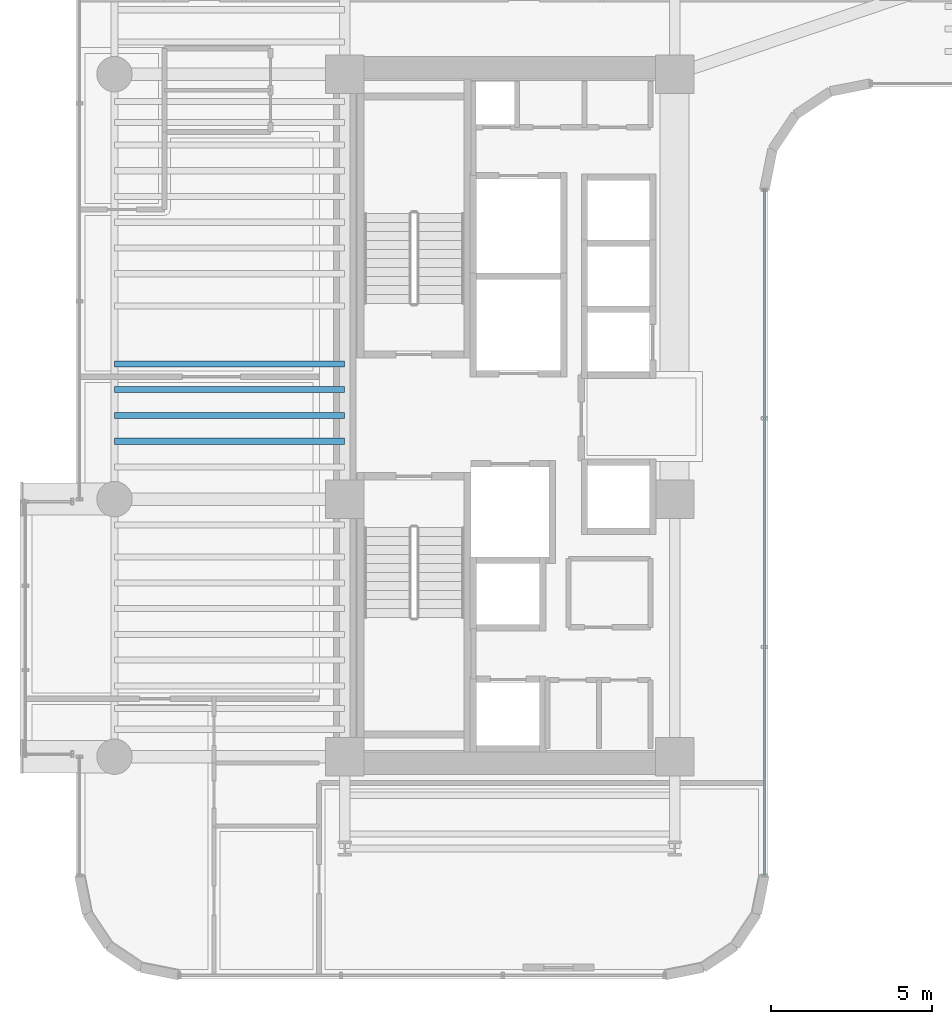
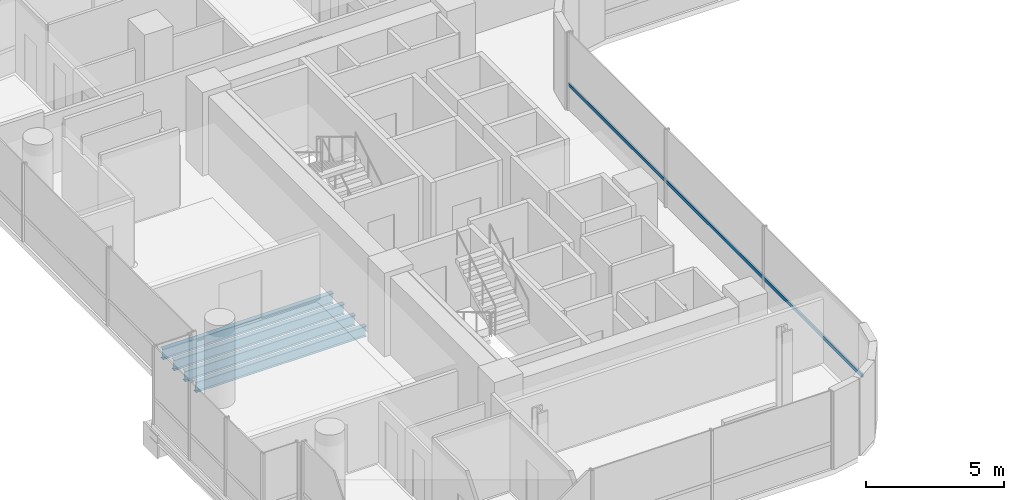
# One storey, part 6 of 38: 4 beams, 1 member, 1 element without a shape of its own.
"""IFC4 building model written with IfcOpenShell, lengths in metres."""

from ifc_helpers import new_model, si_unit, direction, frame, origin, origin_2d, place, context, subcontext, project, spatial, hollow_rectangle, i_section, extrude, source, transform, mapped, material, material_profile, profile_set, type_object, element, aggregate, save


model = new_model("IFC4")

# Units and contexts
model_context = context("Model", 3, precision=1e-05, world=origin(), true_north=direction((0.0, 1.0)))
body_context = subcontext(model_context, "Body", "Model", "MODEL_VIEW")
ifc_project = project(units=[si_unit("LENGTHUNIT", "METRE"), si_unit("AREAUNIT", "SQUARE_METRE"), si_unit("VOLUMEUNIT", "CUBIC_METRE"), si_unit("PLANEANGLEUNIT", "RADIAN"), si_unit("MASSUNIT", "GRAM", prefix="KILO")], contexts=[model_context])

# Site, building, storey
site_placement = place(None, origin())
site = spatial("IfcSite", under=ifc_project, at=site_placement, CompositionType="ELEMENT")
building_placement = place(site_placement, origin())
building = spatial("IfcBuilding", under=site, at=building_placement, Name="Valdorenza Pilgrim Sanctuary Tower", CompositionType="ELEMENT")
storey_placement = place(building_placement, frame((0.0, 0.0, 131.60009765625)))
storey = spatial("IfcBuildingStorey", under=building, at=storey_placement, Name="L33", CompositionType="ELEMENT", Elevation=131.60009765625)

# Beams
ifc_material_1 = material(Name="Steel ASTM A992 Grade 50", Category="steel")
ifc_material_profile_1 = material_profile(ifc_material_1, i_section(OverallWidth=0.19091796875, OverallDepth=0.45703125, WebThickness=0.009033203125, FlangeThickness=0.014404296875, at=origin_2d()), Name="W18X50")
ifc_profile_set_1 = profile_set([ifc_material_profile_1], Name="Steel ASTM A992 Grade 50")
beam_type = type_object("IfcBeamType", Name="STR-BM-JST-W18B", PredefinedType="JOIST", material=ifc_profile_set_1)
shared_shape_1 = source(origin(), body_context, "Body", "SweptSolid", [
    extrude(i_section(OverallWidth=0.19091796875, OverallDepth=0.45703125, WebThickness=0.009033203125, FlangeThickness=0.014404296875, at=origin_2d()), origin(), (0.0, 0.0, 1.0), 7.150146484375),
])
for number, where, z_axis, x_axis, name in (
    (1, (-29.800048828125, -0.800048828125, -0.468505859375), (1.0, 0.0, 0.0), (0.0, 1.0, 0.0), "L33 Composite Floor Joist JST-WA-11"),
    (2, (-29.800048828125, 0.0, -0.468505859375), (1.0, 0.0, 0.0), (0.0, 1.0, 0.0), "L33 Composite Floor Joist JST-WA-12"),
    (3, (-29.800048828125, 0.800048828125, -0.468505859375), (1.0, 0.0, 0.0), (0.0, 1.0, 0.0), "L33 Composite Floor Joist JST-WA-13"),
    (4, (-29.800048828125, 1.60009765625, -0.468505859375), (1.0, 0.0, 0.0), (0.0, 1.0, 0.0), "L33 Composite Floor Joist JST-WA-14"),
):
    element("IfcBeam", number, at=place(storey_placement, frame(where, z_axis=z_axis, x_axis=x_axis)), inside=storey, type_object=beam_type, Name=name, PredefinedType="JOIST", context=body_context, shape_type="MappedRepresentation", body=[
        mapped(shared_shape_1, transform((0.0, 0.0, 0.0), x_axis=(1.0, 0.0, 0.0), y_axis=(0.0, 1.0, 0.0), z_axis=(0.0, 0.0, 1.0), scale=1.0)),
    ])

# Curtain wall, member
ifc_material_2 = material(Name="Curtain-wall IGU glazing", Category="glass")
curtain_wall_type = type_object("IfcCurtainWallType", Name="CW-SYS-02", PredefinedType="NOTDEFINED", material=ifc_material_2)
curtain_wall_placement = place(storey_placement, origin())
curtain_wall = element("IfcCurtainWall", 5, at=curtain_wall_placement, inside=storey, type_object=curtain_wall_type, Name="L33 Curtain Wall CW-L33-1-41", PredefinedType="NOTDEFINED")
ifc_material_3 = material(Name="Anodised aluminium AW-6060", Category="aluminium")
ifc_material_profile_2 = material_profile(ifc_material_3, hollow_rectangle(XDim=0.074951171875, YDim=0.14990234375, WallThickness=0.00390625, at=origin_2d()), Name="ALU-T 150x75x4")
ifc_profile_set_2 = profile_set([ifc_material_profile_2], Name="Anodised aluminium AW-6060")
member_type = type_object("IfcMemberType", Name="CW-TRN-02", PredefinedType="USERDEFINED", material=ifc_profile_set_2)
shared_shape_2 = source(origin(), body_context, "Body", "SweptSolid", [
    extrude(hollow_rectangle(XDim=0.074951171875, YDim=0.14990234375, WallThickness=0.00390625, at=origin_2d()), origin(), (0.0, 0.0, 1.0), 21.300048828125),
])
member_placement = place(storey_placement, frame((-9.610107421875, 7.0107421875, 1.119873046875), z_axis=(0.0, -1.0, 0.0), x_axis=(1.0, 0.0, 0.0)))
member = element("IfcMember", 6, at=member_placement, type_object=member_type, Name="CW-L33-1-41 Transom 1", ObjectType="TRANSOM", PredefinedType="USERDEFINED", context=body_context, shape_type="MappedRepresentation", body=[
    mapped(shared_shape_2, transform((0.0, 0.0, 0.0), x_axis=(1.0, 0.0, 0.0), y_axis=(0.0, 1.0, 0.0), z_axis=(0.0, 0.0, 1.0), scale=1.0)),
])
aggregate(curtain_wall, [member])

save(model, "model.ifc")
